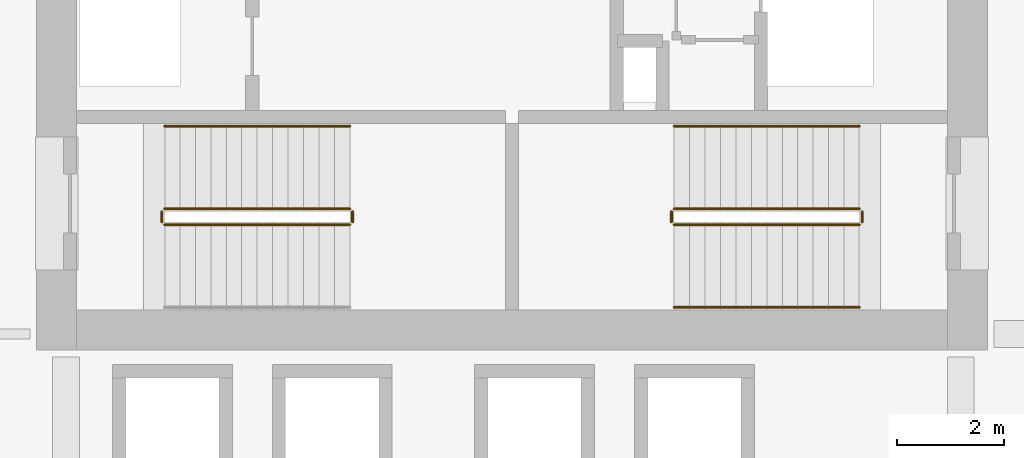
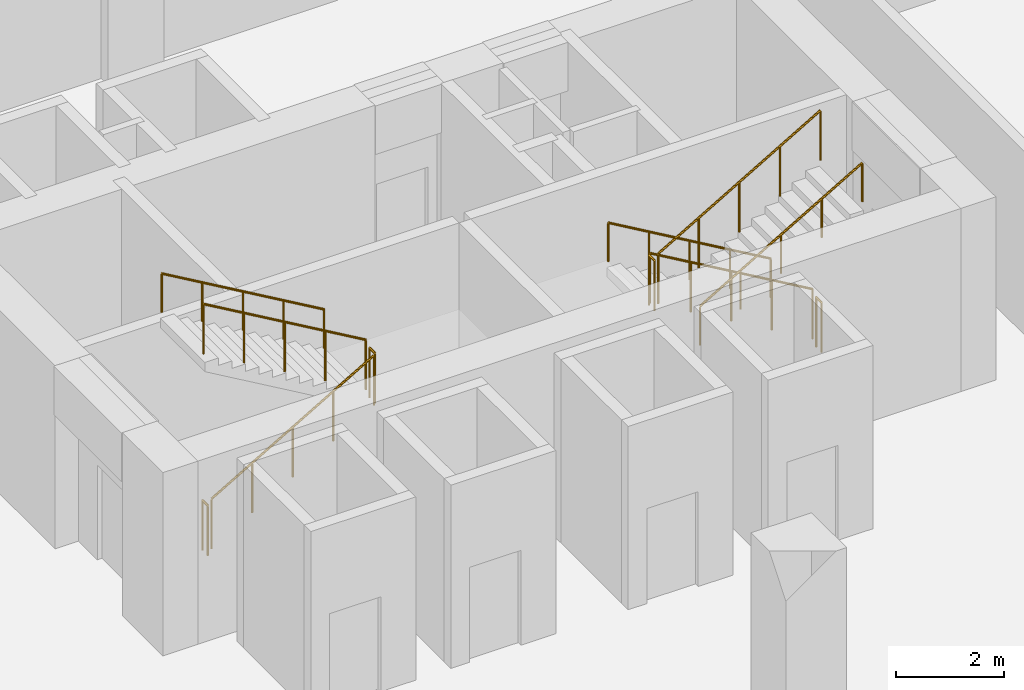
# One storey, part 18 of 21: 11 railings.
"""IFC4 building model written with IfcOpenShell, lengths in metres."""

from ifc_helpers import new_model, si_unit, direction, frame, origin, origin_2d, place, context, subcontext, project, spatial, circle, extrude, material, type_object, element, save


model = new_model("IFC4")

# Units and contexts
model_context = context("Model", 3, precision=1e-05, world=origin(), true_north=direction((0.0, 1.0)))
body_context = subcontext(model_context, "Body", "Model", "MODEL_VIEW")
ifc_project = project(units=[si_unit("LENGTHUNIT", "METRE"), si_unit("AREAUNIT", "SQUARE_METRE"), si_unit("VOLUMEUNIT", "CUBIC_METRE"), si_unit("PLANEANGLEUNIT", "RADIAN"), si_unit("MASSUNIT", "GRAM", prefix="KILO")], contexts=[model_context])

# Site, building, storey
site_placement = place(None, origin())
site = spatial("IfcSite", under=ifc_project, at=site_placement, CompositionType="ELEMENT")
building_placement = place(site_placement, origin())
building = spatial("IfcBuilding", under=site, at=building_placement, Name="Koriwani Terraces Tower", CompositionType="ELEMENT")
storey_placement = place(building_placement, frame((0.0, 0.0, 85.199951171875)))
storey = spatial("IfcBuildingStorey", under=building, at=storey_placement, Name="L20", CompositionType="ELEMENT", Elevation=85.199951171875)

# Railings
ifc_material = material(Name="Steel ASTM A572 Grade 50", Category="steel")
railing_type_1 = type_object("IfcRailingType", Name="GUARD_STAIR_WELL_1120", PredefinedType="GUARDRAIL", material=ifc_material)
railing_1_placement = place(storey_placement, frame((43.85009765625, 18.85009765625, 0.169189453125)))
element("IfcRailing", 1, at=railing_1_placement, inside=storey, type_object=railing_type_1, Name="L20 ST-E1 stair guard 1", PredefinedType="GUARDRAIL", context=body_context, shape_type="SweptSolid", body=[
    extrude(circle(Radius=0.02392578125, at=origin_2d()), frame((0.0, 0.0, 1.1259765625), z_axis=(0.863695377172, 0.0, 0.504014181796), x_axis=(0.0, 1.0, 0.0)), (0.0, 0.0, 1.0), 4.029296875),
    extrude(circle(Radius=0.02099609375, at=origin_2d()), origin(), (0.0, 0.0, 1.0), 1.101806640625),
    extrude(circle(Radius=0.02099609375, at=origin_2d()), frame((0.8701171875, 0.0, 0.5078125)), (0.0, 0.0, 1.0), 1.101806640625),
    extrude(circle(Radius=0.02099609375, at=origin_2d()), frame((1.739990234375, 0.0, 1.015380859375)), (0.0, 0.0, 1.0), 1.101806640625),
    extrude(circle(Radius=0.02099609375, at=origin_2d()), frame((2.60986328125, 0.0, 1.52294921875)), (0.0, 0.0, 1.0), 1.101806640625),
    extrude(circle(Radius=0.02099609375, at=origin_2d()), frame((3.47998046875, 0.0, 2.03076171875)), (0.0, 0.0, 1.0), 1.101806640625),
])
railing_2_placement = place(storey_placement, frame((47.3798828125, 18.89990234375, 2.199951171875)))
element("IfcRailing", 2, at=railing_2_placement, inside=storey, type_object=railing_type_1, Name="L20 ST-E1 stair guard 2", PredefinedType="GUARDRAIL", context=body_context, shape_type="SweptSolid", body=[
    extrude(circle(Radius=0.02392578125, at=origin_2d()), frame((0.0, 0.0, 1.1259765625), z_axis=(0.0, 1.0, 0.0), x_axis=(-1.0, 0.0, 0.0)), (0.0, 0.0, 1.0), 0.2001953125),
    extrude(circle(Radius=0.02099609375, at=origin_2d()), origin(), (0.0, 0.0, 1.0), 1.101806640625),
    extrude(circle(Radius=0.02099609375, at=origin_2d()), frame((0.0, 0.2001953125, 0.0)), (0.0, 0.0, 1.0), 1.101806640625),
])
railing_3_placement = place(storey_placement, frame((47.330078125, 19.14990234375, 2.369384765625)))
element("IfcRailing", 3, at=railing_3_placement, inside=storey, type_object=railing_type_1, Name="L20 ST-E1 stair guard 3", PredefinedType="GUARDRAIL", context=body_context, shape_type="SweptSolid", body=[
    extrude(circle(Radius=0.02392578125, at=origin_2d()), frame((0.0, 0.0, 1.1259765625), z_axis=(-0.863695377172, 0.0, 0.504014181796), x_axis=(0.0, -1.0, 0.0)), (0.0, 0.0, 1.0), 4.029296875),
    extrude(circle(Radius=0.02099609375, at=origin_2d()), origin(), (0.0, 0.0, 1.0), 1.101806640625),
    extrude(circle(Radius=0.02099609375, at=origin_2d()), frame((-0.8701171875, 0.0, 0.5078125)), (0.0, 0.0, 1.0), 1.101806640625),
    extrude(circle(Radius=0.02099609375, at=origin_2d()), frame((-1.739990234375, 0.0, 1.015380859375)), (0.0, 0.0, 1.0), 1.101806640625),
    extrude(circle(Radius=0.02099609375, at=origin_2d()), frame((-2.60986328125, 0.0, 1.52294921875)), (0.0, 0.0, 1.0), 1.101806640625),
    extrude(circle(Radius=0.02099609375, at=origin_2d()), frame((-3.47998046875, 0.0, 2.03076171875)), (0.0, 0.0, 1.0), 1.101806640625),
])
railing_4_placement = place(storey_placement, frame((43.800048828125, 18.89990234375, 0.0)))
element("IfcRailing", 4, at=railing_4_placement, inside=storey, type_object=railing_type_1, Name="L20 ST-E1 stair guard 4", PredefinedType="GUARDRAIL", context=body_context, shape_type="SweptSolid", body=[
    extrude(circle(Radius=0.02392578125, at=origin_2d()), frame((0.0, 0.0, 1.1259765625), z_axis=(0.0, 1.0, 0.0), x_axis=(-1.0, 0.0, 0.0)), (0.0, 0.0, 1.0), 0.2001953125),
    extrude(circle(Radius=0.02099609375, at=origin_2d()), origin(), (0.0, 0.0, 1.0), 1.101806640625),
    extrude(circle(Radius=0.02099609375, at=origin_2d()), frame((0.0, 0.2001953125, 0.0)), (0.0, 0.0, 1.0), 1.101806640625),
])
railing_5_placement = place(storey_placement, frame((56.89990234375, 19.14990234375, 0.169189453125)))
element("IfcRailing", 5, at=railing_5_placement, inside=storey, type_object=railing_type_1, Name="L20 ST-E2 stair guard 1", PredefinedType="GUARDRAIL", context=body_context, shape_type="SweptSolid", body=[
    extrude(circle(Radius=0.02392578125, at=origin_2d()), frame((0.0, 0.0, 1.1259765625), z_axis=(-0.863695377172, 0.0, 0.504014181796), x_axis=(0.0, -1.0, 0.0)), (0.0, 0.0, 1.0), 4.029296875),
    extrude(circle(Radius=0.02099609375, at=origin_2d()), origin(), (0.0, 0.0, 1.0), 1.101806640625),
    extrude(circle(Radius=0.02099609375, at=origin_2d()), frame((-0.8701171875, 0.0, 0.5078125)), (0.0, 0.0, 1.0), 1.101806640625),
    extrude(circle(Radius=0.02099609375, at=origin_2d()), frame((-1.739990234375, 0.0, 1.015380859375)), (0.0, 0.0, 1.0), 1.101806640625),
    extrude(circle(Radius=0.02099609375, at=origin_2d()), frame((-2.60986328125, 0.0, 1.52294921875)), (0.0, 0.0, 1.0), 1.101806640625),
    extrude(circle(Radius=0.02099609375, at=origin_2d()), frame((-3.47998046875, 0.0, 2.03076171875)), (0.0, 0.0, 1.0), 1.101806640625),
])
railing_6_placement = place(storey_placement, frame((53.3701171875, 19.10009765625, 2.199951171875)))
element("IfcRailing", 6, at=railing_6_placement, inside=storey, type_object=railing_type_1, Name="L20 ST-E2 stair guard 2", PredefinedType="GUARDRAIL", context=body_context, shape_type="SweptSolid", body=[
    extrude(circle(Radius=0.02392578125, at=origin_2d()), frame((0.0, 0.0, 1.1259765625), z_axis=(0.0, -1.0, 0.0), x_axis=(1.0, 0.0, 0.0)), (0.0, 0.0, 1.0), 0.2001953125),
    extrude(circle(Radius=0.02099609375, at=origin_2d()), origin(), (0.0, 0.0, 1.0), 1.101806640625),
    extrude(circle(Radius=0.02099609375, at=origin_2d()), frame((0.0, -0.2001953125, 0.0)), (0.0, 0.0, 1.0), 1.101806640625),
])
railing_7_placement = place(storey_placement, frame((53.419921875, 18.85009765625, 2.369384765625)))
element("IfcRailing", 7, at=railing_7_placement, inside=storey, type_object=railing_type_1, Name="L20 ST-E2 stair guard 3", PredefinedType="GUARDRAIL", context=body_context, shape_type="SweptSolid", body=[
    extrude(circle(Radius=0.02392578125, at=origin_2d()), frame((0.0, 0.0, 1.1259765625), z_axis=(0.863695377172, 0.0, 0.504014181796), x_axis=(0.0, 1.0, 0.0)), (0.0, 0.0, 1.0), 4.029296875),
    extrude(circle(Radius=0.02099609375, at=origin_2d()), origin(), (0.0, 0.0, 1.0), 1.101806640625),
    extrude(circle(Radius=0.02099609375, at=origin_2d()), frame((0.8701171875, 0.0, 0.5078125)), (0.0, 0.0, 1.0), 1.101806640625),
    extrude(circle(Radius=0.02099609375, at=origin_2d()), frame((1.739990234375, 0.0, 1.015380859375)), (0.0, 0.0, 1.0), 1.101806640625),
    extrude(circle(Radius=0.02099609375, at=origin_2d()), frame((2.60986328125, 0.0, 1.52294921875)), (0.0, 0.0, 1.0), 1.101806640625),
    extrude(circle(Radius=0.02099609375, at=origin_2d()), frame((3.47998046875, 0.0, 2.03076171875)), (0.0, 0.0, 1.0), 1.101806640625),
])
railing_8_placement = place(storey_placement, frame((56.949951171875, 19.10009765625, 0.0)))
element("IfcRailing", 8, at=railing_8_placement, inside=storey, type_object=railing_type_1, Name="L20 ST-E2 stair guard 4", PredefinedType="GUARDRAIL", context=body_context, shape_type="SweptSolid", body=[
    extrude(circle(Radius=0.02392578125, at=origin_2d()), frame((0.0, 0.0, 1.1259765625), z_axis=(0.0, -1.0, 0.0), x_axis=(1.0, 0.0, 0.0)), (0.0, 0.0, 1.0), 0.2001953125),
    extrude(circle(Radius=0.02099609375, at=origin_2d()), origin(), (0.0, 0.0, 1.0), 1.101806640625),
    extrude(circle(Radius=0.02099609375, at=origin_2d()), frame((0.0, -0.2001953125, 0.0)), (0.0, 0.0, 1.0), 1.101806640625),
])
railing_type_2 = type_object("IfcRailingType", Name="HANDRAIL_STAIR_920", PredefinedType="HANDRAIL", material=ifc_material)
for number, where, name in (
    (9, (47.330078125, 20.699951171875, 2.369384765625), "L20 ST-E1 stair handrail 2"),
    (10, (56.89990234375, 20.699951171875, 0.169189453125), "L20 ST-E2 stair handrail 1"),
):
    element("IfcRailing", number, at=place(storey_placement, frame(where)), inside=storey, type_object=railing_type_2, Name=name, PredefinedType="HANDRAIL", context=body_context, shape_type="SweptSolid", body=[
        extrude(circle(Radius=0.02392578125, at=origin_2d()), frame((0.0, 0.0, 0.8759765625), z_axis=(-0.863695377172, 0.0, 0.504014181796), x_axis=(0.0, -1.0, 0.0)), (0.0, 0.0, 1.0), 4.029296875),
        extrude(circle(Radius=0.02099609375, at=origin_2d()), origin(), (0.0, 0.0, 1.0), 0.851806640625),
        extrude(circle(Radius=0.02099609375, at=origin_2d()), frame((-0.8701171875, 0.0, 0.5078125)), (0.0, 0.0, 1.0), 0.851806640625),
        extrude(circle(Radius=0.02099609375, at=origin_2d()), frame((-1.739990234375, 0.0, 1.015380859375)), (0.0, 0.0, 1.0), 0.851806640625),
        extrude(circle(Radius=0.02099609375, at=origin_2d()), frame((-2.60986328125, 0.0, 1.52294921875)), (0.0, 0.0, 1.0), 0.851806640625),
        extrude(circle(Radius=0.02099609375, at=origin_2d()), frame((-3.47998046875, 0.0, 2.03076171875)), (0.0, 0.0, 1.0), 0.851806640625),
    ])
railing_9_placement = place(storey_placement, frame((53.419921875, 17.300048828125, 2.369384765625)))
element("IfcRailing", 11, at=railing_9_placement, inside=storey, type_object=railing_type_2, Name="L20 ST-E2 stair handrail 2", PredefinedType="HANDRAIL", context=body_context, shape_type="SweptSolid", body=[
    extrude(circle(Radius=0.02392578125, at=origin_2d()), frame((0.0, 0.0, 0.8759765625), z_axis=(0.863695377172, 0.0, 0.504014181796), x_axis=(0.0, 1.0, 0.0)), (0.0, 0.0, 1.0), 4.029296875),
    extrude(circle(Radius=0.02099609375, at=origin_2d()), origin(), (0.0, 0.0, 1.0), 0.851806640625),
    extrude(circle(Radius=0.02099609375, at=origin_2d()), frame((0.8701171875, 0.0, 0.5078125)), (0.0, 0.0, 1.0), 0.851806640625),
    extrude(circle(Radius=0.02099609375, at=origin_2d()), frame((1.739990234375, 0.0, 1.015380859375)), (0.0, 0.0, 1.0), 0.851806640625),
    extrude(circle(Radius=0.02099609375, at=origin_2d()), frame((2.60986328125, 0.0, 1.52294921875)), (0.0, 0.0, 1.0), 0.851806640625),
    extrude(circle(Radius=0.02099609375, at=origin_2d()), frame((3.47998046875, 0.0, 2.03076171875)), (0.0, 0.0, 1.0), 0.851806640625),
])

save(model, "model.ifc")
